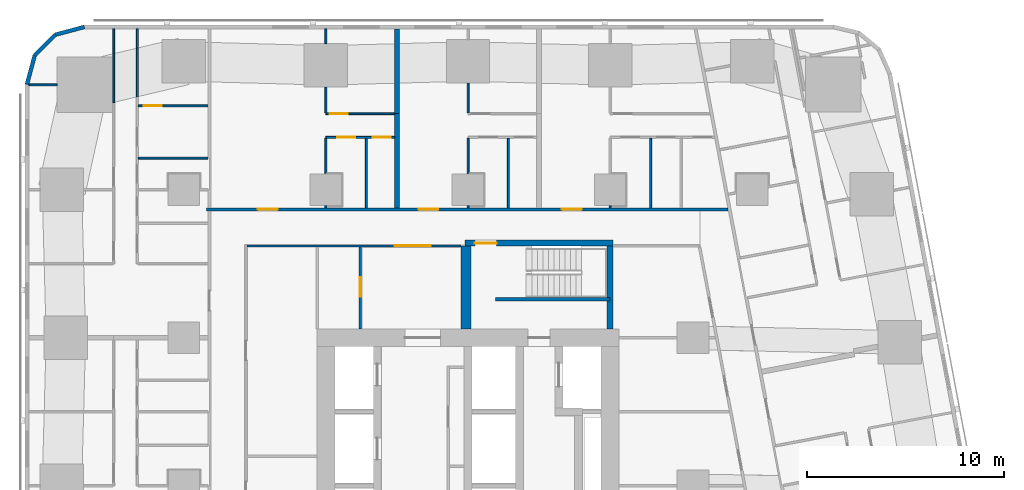
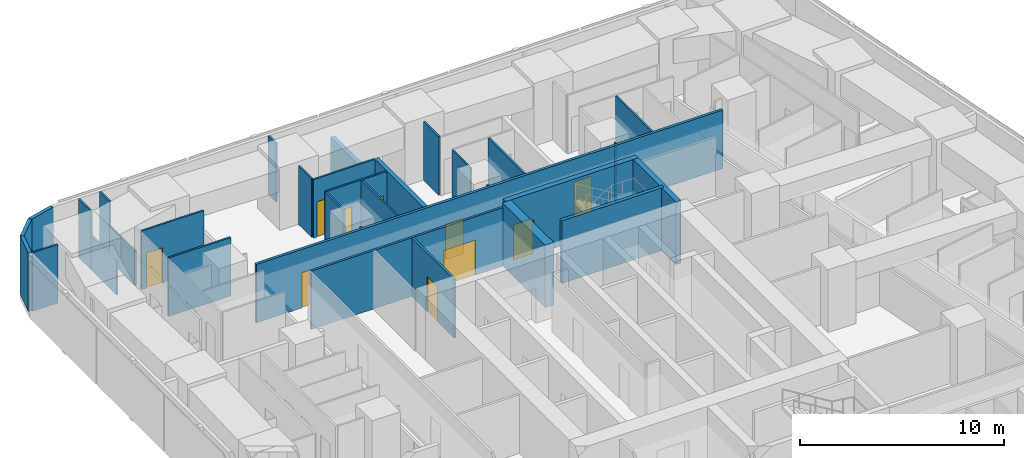
# One storey, part 10 of 16: 32 walls, 10 doors, 10 openings.
"""IFC4 building model written with IfcOpenShell, lengths in metres."""

import ifcopenshell
import ifcopenshell.guid

model = None  # the IFC model being written
_history = None  # IfcOwnerHistory: only IFC2X3 demands one
_inside = {}  # id of a spatial element -> (the spatial element, [elements in it])
_under = {}  # id of a project, library or spatial element -> (it, [spatial elements below it])
_declared = {}  # id of a project -> (the project, [libraries it declares])
_typed = {}  # id of a type object -> (the type object, [elements of that type])
_made_of = {}  # id of a material, layer set ... -> (it, [elements and type objects made of it])


def new_model(schema):
    """Start an empty IFC model of exactly this schema.

    Asked for "IFC4X3", IfcOpenShell would pick the latest addendum, in which some entities
    have other attributes; the version numbers below select the first issue.
    IFC2X3 requires an IfcOwnerHistory on every rooted entity: one is made here for all.
    """
    global model, _history
    if schema == "IFC4X3":
        model = ifcopenshell.file(schema_version=(4, 3, 0, 0))
    else:
        model = ifcopenshell.file(schema=schema)
    _inside.clear()
    _under.clear()
    _declared.clear()
    _typed.clear()
    _made_of.clear()
    _history = None
    if model.schema == "IFC2X3":
        org = make("IfcOrganization", Name="unknown")
        user = make(
            "IfcPersonAndOrganization",
            ThePerson=make("IfcPerson", FamilyName="unknown"),
            TheOrganization=org,
        )
        app = make(
            "IfcApplication",
            ApplicationDeveloper=org,
            Version="unknown",
            ApplicationFullName="unknown",
            ApplicationIdentifier="unknown",
        )
        _history = make(
            "IfcOwnerHistory",
            OwningUser=user,
            OwningApplication=app,
            ChangeAction="ADDED",
            CreationDate=0,
        )
    return model


def make(cls, **values):
    """One entity of the class cls with the attributes given. An attribute that is None is left unset."""
    return model.create_entity(
        cls, **{name: value for name, value in values.items() if value is not None}
    )


def rooted(cls, **values):
    """An entity with a GlobalId (a new one), such as an element, a storey or a relation."""
    return make(cls, GlobalId=ifcopenshell.guid.new(), OwnerHistory=_history, **values)


def si_unit(unit_type, name, prefix=None):
    """IfcSIUnit, for example si_unit("LENGTHUNIT", "METRE", prefix="MILLI")."""
    return make("IfcSIUnit", UnitType=unit_type, Prefix=prefix, Name=name)


def assignment(units):
    """IfcUnitAssignment: the units of a project."""
    return None if units is None else make("IfcUnitAssignment", Units=units)


def point(xyz):
    """IfcCartesianPoint."""
    return None if xyz is None else make("IfcCartesianPoint", Coordinates=xyz)


def direction(xyz):
    """IfcDirection."""
    return None if xyz is None else make("IfcDirection", DirectionRatios=xyz)


def frame(location, z_axis=None, x_axis=None):
    """IfcAxis2Placement3D, a coordinate frame: its origin and axes. An axis left out is left unset."""
    return make(
        "IfcAxis2Placement3D",
        Location=point(location),
        Axis=direction(z_axis),
        RefDirection=direction(x_axis),
    )


def frame_2d(location, x_axis=None):
    """IfcAxis2Placement2D, a coordinate frame in the plane: its origin and x axis."""
    return make(
        "IfcAxis2Placement2D", Location=point(location), RefDirection=direction(x_axis)
    )


def origin():
    """The frame at (0, 0, 0) with its axes left unset."""
    return frame((0.0, 0.0, 0.0))


def place(relative_to, where):
    """IfcLocalPlacement: puts the frame where relative to a parent placement (None: the world)."""
    return make(
        "IfcLocalPlacement", PlacementRelTo=relative_to, RelativePlacement=where
    )


def context(
    kind, dimensions, precision=None, world=None, true_north=None, identifier=None
):
    """IfcGeometricRepresentationContext, for example the 3D "Model" context."""
    return make(
        "IfcGeometricRepresentationContext",
        ContextIdentifier=identifier,
        ContextType=kind,
        CoordinateSpaceDimension=dimensions,
        Precision=precision,
        WorldCoordinateSystem=world,
        TrueNorth=true_north,
    )


def subcontext(parent, identifier, kind, view, scale=None):
    """IfcGeometricRepresentationSubContext, for example "Body" below "Model"."""
    return make(
        "IfcGeometricRepresentationSubContext",
        ContextIdentifier=identifier,
        ContextType=kind,
        ParentContext=parent,
        TargetScale=scale,
        TargetView=view,
    )


def project(units=None, contexts=None):
    """IfcProject with its units and contexts."""
    return rooted(
        "IfcProject",
        Name="project",
        RepresentationContexts=contexts,
        UnitsInContext=assignment(units),
    )


def spatial(cls, under=None, at=None, **own):
    """A site, building, storey or space (cls), placed at a placement, below another one or the project."""
    s = rooted(cls, ObjectPlacement=at, **own)
    if under is not None:
        _under.setdefault(under.id(), (under, []))[1].append(s)
    return s


def profile(cls, at=None, kind="AREA", **sizes):
    """A parametric profile (cls). Its sizes go by their IFC names, for example OverallWidth=200.0."""
    return make(cls, ProfileType=kind, Position=at, **sizes)


def rectangle(**sizes):
    """IfcRectangleProfileDef."""
    return profile("IfcRectangleProfileDef", **sizes)


def extrude(swept, where, along, depth):
    """IfcExtrudedAreaSolid: the profile swept, set in the frame where, extruded along a direction by depth."""
    return make(
        "IfcExtrudedAreaSolid",
        SweptArea=swept,
        Position=where,
        ExtrudedDirection=direction(along),
        Depth=depth,
    )


def shape(context_of_items, identifier, shape_type, items):
    """IfcShapeRepresentation: the items that make up one representation, for example the "Body"."""
    return make(
        "IfcShapeRepresentation",
        ContextOfItems=context_of_items,
        RepresentationIdentifier=identifier,
        RepresentationType=shape_type,
        Items=items,
    )


def material(Name=None, Category=None):
    """IfcMaterial."""
    return make("IfcMaterial", Name=Name, Category=Category)


def layer(
    of_material, thickness, ventilated=None, Name=None, Category=None, Priority=None
):
    """IfcMaterialLayer: one layer of a wall or slab, of a material (None: an air gap)."""
    return make(
        "IfcMaterialLayer",
        Material=of_material,
        LayerThickness=thickness,
        IsVentilated=ventilated,
        Name=Name,
        Category=Category,
        Priority=Priority,
    )


def layer_set(layers, Name=None):
    """IfcMaterialLayerSet."""
    return make("IfcMaterialLayerSet", MaterialLayers=layers, LayerSetName=Name)


def made_of(thing, what):
    """Note that an element or type object is made of a material, layer set ...; save() writes the relation."""
    if what is not None:
        _made_of.setdefault(what.id(), (what, []))[1].append(thing)
    return thing


def type_object(cls, material=None, **own):
    """A type object (cls), such as IfcWallType, which elements share."""
    return made_of(rooted(cls, **own), material)


def element(
    cls,
    number,
    at=None,
    inside=None,
    cuts=None,
    type_object=None,
    material=None,
    context=None,
    identifier="Body",
    shape_type=None,
    held_by="IfcProductDefinitionShape",
    body=None,
    shapes=None,
    **own,
):
    """One element of the class cls, such as IfcWall. Its Tag is "e" and its number.

    at: its placement. inside: the storey or other place that contains it. cuts: it is an
    opening in that element (IfcRelVoidsElement). A single representation is given by context,
    identifier, shape_type and body (its items); several are given by shapes. held_by: the class
    of the entity that holds the representations. save() writes the other relations.
    """
    e = rooted(cls, Tag="e%d" % number, ObjectPlacement=at, **own)
    if body is not None:
        shapes = [shape(context, identifier, shape_type, body)]
    if shapes is not None:
        e.Representation = make(held_by, Representations=shapes)
    if inside is not None:
        _inside.setdefault(inside.id(), (inside, []))[1].append(e)
    if cuts is not None:
        rooted(
            "IfcRelVoidsElement", RelatingBuildingElement=cuts, RelatedOpeningElement=e
        )
    if type_object is not None:
        _typed.setdefault(type_object.id(), (type_object, []))[1].append(e)
    return made_of(e, material)


def fill(opening, filler):
    """IfcRelFillsElement: the door or window that sits in an opening."""
    return rooted(
        "IfcRelFillsElement",
        RelatingOpeningElement=opening,
        RelatedBuildingElement=filler,
    )


def aggregate(whole, parts):
    """IfcRelAggregates: a whole, such as a stair, and the parts it consists of."""
    return rooted("IfcRelAggregates", RelatingObject=whole, RelatedObjects=parts)


def save(model, path):
    """Write the relations noted so far, then the file.

    IfcRelAggregates (storeys below a building ...), IfcRelContainedInSpatialStructure (elements
    in a storey), IfcRelDefinesByType, IfcRelAssociatesMaterial and IfcRelDeclares: one each for
    every whole, place, type object, material and project.
    """
    for whole, parts in _under.values():
        aggregate(whole, parts)
    for where, things in _inside.values():
        rooted(
            "IfcRelContainedInSpatialStructure",
            RelatedElements=things,
            RelatingStructure=where,
        )
    for kind, things in _typed.values():
        rooted("IfcRelDefinesByType", RelatedObjects=things, RelatingType=kind)
    for what, things in _made_of.values():
        rooted("IfcRelAssociatesMaterial", RelatedObjects=things, RelatingMaterial=what)
    for by, libraries in _declared.values():
        rooted("IfcRelDeclares", RelatingContext=by, RelatedDefinitions=libraries)
    model.write(path)


model = new_model("IFC4")

# Units and contexts
model_context = context("Model", 3, precision=1e-05, world=origin(), true_north=direction((0.0, 1.0)))
body_context = subcontext(model_context, "Body", "Model", "MODEL_VIEW")
ifc_project = project(units=[si_unit("LENGTHUNIT", "METRE"), si_unit("AREAUNIT", "SQUARE_METRE"), si_unit("VOLUMEUNIT", "CUBIC_METRE"), si_unit("PLANEANGLEUNIT", "RADIAN"), si_unit("MASSUNIT", "GRAM", prefix="KILO")], contexts=[model_context])

# Site, building, storey
site_placement = place(None, origin())
site = spatial("IfcSite", under=ifc_project, at=site_placement, CompositionType="ELEMENT")
building_placement = place(site_placement, origin())
building = spatial("IfcBuilding", under=site, at=building_placement, Name="Sheger Commons Tower", CompositionType="ELEMENT")
storey_placement = place(building_placement, frame((0.0, 0.0, 89.14990234375)))
storey = spatial("IfcBuildingStorey", under=building, at=storey_placement, Name="L22", CompositionType="ELEMENT", Elevation=89.14990234375)

# Wall, openings, doors
ifc_material_1 = material(Name="Hollow concrete block masonry, skimmed both sides", Category="masonry")
ifc_layer_1 = layer(ifc_material_1, 0.14990234375)
ifc_layer_set_1 = layer_set([ifc_layer_1], Name="CORRIDOR WALL 150")
wall_type_1 = type_object("IfcWallType", Name="CORRIDOR WALL 150", PredefinedType="SOLIDWALL", material=ifc_layer_set_1)
wall_1_placement = place(storey_placement, frame((8.35009765625, 36.5, 0.0), z_axis=(0.0, 0.0, 1.0), x_axis=(1.0, 0.0, 0.0)))
wall_1 = element("IfcWall", 1, at=wall_1_placement, inside=storey, type_object=wall_type_1, Name="Corridor wall L22", PredefinedType="SOLIDWALL", context=body_context, shape_type="SweptSolid", body=[
    extrude(rectangle(XDim=26.414794921875, YDim=0.14990234375, at=frame_2d((13.20751953125, 0.0))), origin(), (0.0, 0.0, 1.0), 3.5),
])
opening_1_placement = place(wall_1_placement, frame((2.60009765625, 0.0, 0.0)))
opening_1 = element("IfcOpeningElement", 2, at=opening_1_placement, cuts=wall_1, Name="Opening D1", PredefinedType="OPENING", context=body_context, shape_type="SweptSolid", body=[
    extrude(rectangle(XDim=1.0, YDim=2.10009765625, at=frame_2d((0.5, 1.050048828125))), frame((0.0, 0.0849609375, 0.0), z_axis=(0.0, -1.0, 0.0), x_axis=(1.0, 0.0, 0.0)), (0.0, 0.0, 1.0), 0.169921875),
])
opening_2_placement = place(wall_1_placement, frame((10.75, 0.0, 0.0)))
opening_2 = element("IfcOpeningElement", 3, at=opening_2_placement, cuts=wall_1, Name="Opening D1", PredefinedType="OPENING", context=body_context, shape_type="SweptSolid", body=[
    extrude(rectangle(XDim=1.0, YDim=2.10009765625, at=frame_2d((0.5, 1.050048828125))), frame((0.0, 0.0849609375, 0.0), z_axis=(0.0, -1.0, 0.0), x_axis=(1.0, 0.0, 0.0)), (0.0, 0.0, 1.0), 0.169921875),
])
opening_3_placement = place(wall_1_placement, frame((18.007080078125, 0.0, 0.0)))
opening_3 = element("IfcOpeningElement", 4, at=opening_3_placement, cuts=wall_1, Name="Opening D1", PredefinedType="OPENING", context=body_context, shape_type="SweptSolid", body=[
    extrude(rectangle(XDim=1.0, YDim=2.10009765625, at=frame_2d((0.5, 1.050048828125))), frame((0.0, 0.0849609375, 0.0), z_axis=(0.0, -1.0, 0.0), x_axis=(1.0, 0.0, 0.0)), (0.0, 0.0, 1.0), 0.169921875),
])
ifc_material_2 = material(Name="Steel door set, fire rated", Category="steel")
door_type_1 = type_object("IfcDoorType", Name="FLAT ENTRANCE DOOR 1000x2100", OperationType="NOTDEFINED", PredefinedType="DOOR", material=ifc_material_2)
door_1_placement = place(opening_1_placement, origin())
door_1 = element("IfcDoor", 5, at=door_1_placement, inside=storey, type_object=door_type_1, Name="Flat entrance door", OperationType="SINGLE_SWING_LEFT", OverallHeight=2.10009765625, OverallWidth=1.0, PredefinedType="DOOR", context=body_context, shape_type="SweptSolid", body=[
    extrude(rectangle(XDim=1.0, YDim=2.10009765625, at=frame_2d((0.5, 1.050048828125))), frame((0.0, 0.02490234375, 0.0), z_axis=(0.0, -1.0, 0.0), x_axis=(1.0, 0.0, 0.0)), (0.0, 0.0, 1.0), 0.050048828125),
])
fill(opening_1, door_1)
door_2_placement = place(opening_2_placement, origin())
door_2 = element("IfcDoor", 6, at=door_2_placement, inside=storey, type_object=door_type_1, Name="Flat entrance door", OperationType="SINGLE_SWING_LEFT", OverallHeight=2.10009765625, OverallWidth=1.0, PredefinedType="DOOR", context=body_context, shape_type="SweptSolid", body=[
    extrude(rectangle(XDim=1.0, YDim=2.10009765625, at=frame_2d((0.5, 1.050048828125))), frame((0.0, 0.02490234375, 0.0), z_axis=(0.0, -1.0, 0.0), x_axis=(1.0, 0.0, 0.0)), (0.0, 0.0, 1.0), 0.050048828125),
])
fill(opening_2, door_2)
door_3_placement = place(opening_3_placement, origin())
door_3 = element("IfcDoor", 7, at=door_3_placement, inside=storey, type_object=door_type_1, Name="Flat entrance door", OperationType="SINGLE_SWING_LEFT", OverallHeight=2.10009765625, OverallWidth=1.0, PredefinedType="DOOR", context=body_context, shape_type="SweptSolid", body=[
    extrude(rectangle(XDim=1.0, YDim=2.10009765625, at=frame_2d((0.5, 1.050048828125))), frame((0.0, 0.02490234375, 0.0), z_axis=(0.0, -1.0, 0.0), x_axis=(1.0, 0.0, 0.0)), (0.0, 0.0, 1.0), 0.050048828125),
])
fill(opening_3, door_3)

# Walls
ifc_material_3 = material(Name="Dense concrete block masonry, plastered both sides (separating wall between flats)", Category="masonry")
ifc_layer_2 = layer(ifc_material_3, 0.25)
ifc_layer_set_2 = layer_set([ifc_layer_2], Name="DEMISING WALL 250")
wall_type_2 = type_object("IfcWallType", Name="DEMISING WALL 250", PredefinedType="SOLIDWALL", material=ifc_layer_set_2)
wall_2_placement = place(storey_placement, frame((18.0, 41.35009765625, 0.0), z_axis=(0.0, 0.0, 1.0), x_axis=(0.0, 1.0, 0.0)))
element("IfcWall", 8, at=wall_2_placement, inside=storey, type_object=wall_type_2, Name="Demising wall L22", PredefinedType="SOLIDWALL", context=body_context, shape_type="SweptSolid", body=[
    extrude(rectangle(XDim=4.2998046875, YDim=0.25, at=frame_2d((2.14990234375, 0.0))), origin(), (0.0, 0.0, 1.0), 2.2001953125),
])
wall_3_placement = place(storey_placement, frame((18.0, 36.574951171875, 0.0), z_axis=(0.0, 0.0, 1.0), x_axis=(0.0, 1.0, 0.0)))
element("IfcWall", 9, at=wall_3_placement, inside=storey, type_object=wall_type_2, Name="Demising wall L22", PredefinedType="SOLIDWALL", context=body_context, shape_type="SweptSolid", body=[
    extrude(rectangle(XDim=4.775146484375, YDim=0.25, at=frame_2d((2.3876953125, 0.0))), origin(), (0.0, 0.0, 1.0), 3.5),
])
ifc_material_4 = material(Name="Rendered concrete block masonry, dark grey", Category="masonry")
ifc_layer_3 = layer(ifc_material_4, 0.199951171875)
ifc_layer_set_3 = layer_set([ifc_layer_3], Name="FACADE WALL 200")
wall_type_3 = type_object("IfcWallType", Name="FACADE WALL 200", PredefinedType="SOLIDWALL", material=ifc_layer_set_3)
wall_4_placement = place(storey_placement, frame((2.1630859375, 45.75, 0.0), z_axis=(0.0, 0.0, 1.0), x_axis=(-0.965832000415, -0.259168954497, 0.0)))
element("IfcWall", 10, at=wall_4_placement, inside=storey, type_object=wall_type_3, Name="Facade wall L22", PredefinedType="SOLIDWALL", context=body_context, shape_type="SweptSolid", body=[
    extrude(rectangle(XDim=1.512939453125, YDim=0.199951171875, at=frame_2d((0.75634765625, 0.0))), origin(), (0.0, 0.0, 1.0), 3.5),
])
wall_5_placement = place(storey_placement, frame((0.701904296875, 45.35791015625, 0.0), z_axis=(0.0, 0.0, 1.0), x_axis=(-0.707106781187, -0.707106781187, 0.0)))
element("IfcWall", 11, at=wall_5_placement, inside=storey, type_object=wall_type_3, Name="Facade wall L22", PredefinedType="SOLIDWALL", context=body_context, shape_type="SweptSolid", body=[
    extrude(rectangle(XDim=1.498779296875, YDim=0.199951171875, at=frame_2d((0.74951171875, 0.0))), origin(), (0.0, 0.0, 1.0), 3.5),
])
wall_6_placement = place(storey_placement, frame((-0.35791015625, 44.298095703125, 0.0), z_axis=(0.0, 0.0, 1.0), x_axis=(-0.259168954497, -0.965832000415, 0.0)))
element("IfcWall", 12, at=wall_6_placement, inside=storey, type_object=wall_type_3, Name="Facade wall L22", PredefinedType="SOLIDWALL", context=body_context, shape_type="SweptSolid", body=[
    extrude(rectangle(XDim=1.512939453125, YDim=0.199951171875, at=frame_2d((0.75634765625, 0.0))), origin(), (0.0, 0.0, 1.0), 3.5),
])
ifc_material_5 = material(Name="Gypsum board on steel studs", Category="steel")
ifc_layer_4 = layer(ifc_material_5, 0.10009765625)
ifc_layer_set_4 = layer_set([ifc_layer_4], Name="PARTITION 100")
wall_type_4 = type_object("IfcWallType", Name="PARTITION 100", PredefinedType="PARTITIONING", material=ifc_layer_set_4)
wall_7_placement = place(storey_placement, frame((3.64990234375, 41.9150390625, 0.0), z_axis=(0.0, 0.0, 1.0), x_axis=(0.0, 1.0, 0.0)))
element("IfcWall", 13, at=wall_7_placement, inside=storey, type_object=wall_type_4, Name="Partition L22", PredefinedType="PARTITIONING", context=body_context, shape_type="SweptSolid", body=[
    extrude(rectangle(XDim=2.489990234375, YDim=0.10009765625, at=frame_2d((1.2451171875, 0.0))), origin(), (0.0, 0.0, 1.0), 2.050048828125),
])
wall_8_placement = place(storey_placement, frame((3.64990234375, 44.405029296875, 0.0), z_axis=(0.0, 0.0, 1.0), x_axis=(0.0, 1.0, 0.0)))
element("IfcWall", 14, at=wall_8_placement, inside=storey, type_object=wall_type_4, Name="Partition L22", PredefinedType="PARTITIONING", context=body_context, shape_type="SweptSolid", body=[
    extrude(rectangle(XDim=1.244873046875, YDim=0.10009765625, at=frame_2d((0.62255859375, 0.0))), origin(), (0.0, 0.0, 1.0), 3.5),
])
wall_9_placement = place(storey_placement, frame((4.85009765625, 42.198974609375, 0.0), z_axis=(0.0, 0.0, 1.0), x_axis=(0.0, 1.0, 0.0)))
element("IfcWall", 15, at=wall_9_placement, inside=storey, type_object=wall_type_4, Name="Partition L22", PredefinedType="PARTITIONING", context=body_context, shape_type="SweptSolid", body=[
    extrude(rectangle(XDim=2.489990234375, YDim=0.10009765625, at=frame_2d((1.2451171875, 0.0))), origin(), (0.0, 0.0, 1.0), 2.050048828125),
])
wall_10_placement = place(storey_placement, frame((4.85009765625, 44.68896484375, 0.0), z_axis=(0.0, 0.0, 1.0), x_axis=(0.0, 1.0, 0.0)))
element("IfcWall", 16, at=wall_10_placement, inside=storey, type_object=wall_type_4, Name="Partition L22", PredefinedType="PARTITIONING", context=body_context, shape_type="SweptSolid", body=[
    extrude(rectangle(XDim=0.9609375, YDim=0.10009765625, at=frame_2d((0.48046875, 0.0))), origin(), (0.0, 0.0, 1.0), 3.5),
])
wall_11_placement = place(storey_placement, frame((-0.64990234375, 42.81396484375, 0.0), z_axis=(0.0, 0.0, 1.0), x_axis=(1.0, 0.0, 0.0)))
element("IfcWall", 17, at=wall_11_placement, inside=storey, type_object=wall_type_4, Name="Partition L22", PredefinedType="PARTITIONING", context=body_context, shape_type="SweptSolid", body=[
    extrude(rectangle(XDim=1.434814453125, YDim=0.10009765625, at=frame_2d((0.71728515625, 0.0))), origin(), (0.0, 0.0, 1.0), 3.5),
])
wall_12_placement = place(storey_placement, frame((4.89990234375, 39.10009765625, 0.0), z_axis=(0.0, 0.0, 1.0), x_axis=(1.0, 0.0, 0.0)))
element("IfcWall", 18, at=wall_12_placement, inside=storey, type_object=wall_type_4, Name="Partition L22", PredefinedType="PARTITIONING", context=body_context, shape_type="SweptSolid", body=[
    extrude(rectangle(XDim=3.525146484375, YDim=0.10009765625, at=frame_2d((1.7626953125, 0.0))), origin(), (0.0, 0.0, 1.0), 3.5),
])

# Wall, opening, door
wall_13_placement = place(storey_placement, frame((14.39990234375, 41.35009765625, 0.0), z_axis=(0.0, 0.0, 1.0), x_axis=(1.0, 0.0, 0.0)))
wall_13 = element("IfcWall", 19, at=wall_13_placement, inside=storey, type_object=wall_type_4, Name="Partition L22", PredefinedType="PARTITIONING", context=body_context, shape_type="SweptSolid", body=[
    extrude(rectangle(XDim=3.47509765625, YDim=0.10009765625, at=frame_2d((1.737548828125, 0.0))), origin(), (0.0, 0.0, 1.0), 3.5),
])
opening_4_placement = place(wall_13_placement, frame((0.199951171875, 0.0, 0.0)))
opening_4 = element("IfcOpeningElement", 20, at=opening_4_placement, cuts=wall_13, Name="Opening D2", PredefinedType="OPENING", context=body_context, shape_type="SweptSolid", body=[
    extrude(rectangle(XDim=0.89990234375, YDim=2.10009765625, at=frame_2d((0.449951171875, 1.050048828125))), frame((0.0, 0.06005859375, 0.0), z_axis=(0.0, -1.0, 0.0), x_axis=(1.0, 0.0, 0.0)), (0.0, 0.0, 1.0), 0.1201171875),
])
ifc_material_6 = material(Name="Timber door set", Category="wood")
door_type_2 = type_object("IfcDoorType", Name="INTERNAL DOOR 900x2100", OperationType="NOTDEFINED", PredefinedType="DOOR", material=ifc_material_6)
door_4_placement = place(opening_4_placement, origin())
door_4 = element("IfcDoor", 21, at=door_4_placement, inside=storey, type_object=door_type_2, Name="Main bedroom door", OperationType="SINGLE_SWING_LEFT", OverallHeight=2.10009765625, OverallWidth=0.89990234375, PredefinedType="DOOR", context=body_context, shape_type="SweptSolid", body=[
    extrude(rectangle(XDim=0.89990234375, YDim=2.10009765625, at=frame_2d((0.449951171875, 1.050048828125))), frame((0.0, 0.02490234375, 0.0), z_axis=(0.0, -1.0, 0.0), x_axis=(1.0, 0.0, 0.0)), (0.0, 0.0, 1.0), 0.050048828125),
])
fill(opening_4, door_4)

# Wall, openings, doors
wall_14_placement = place(storey_placement, frame((14.39990234375, 40.14990234375, 0.0), z_axis=(0.0, 0.0, 1.0), x_axis=(1.0, 0.0, 0.0)))
wall_14 = element("IfcWall", 22, at=wall_14_placement, inside=storey, type_object=wall_type_4, Name="Partition L22", PredefinedType="PARTITIONING", context=body_context, shape_type="SweptSolid", body=[
    extrude(rectangle(XDim=3.47509765625, YDim=0.10009765625, at=frame_2d((1.737548828125, 0.0))), origin(), (0.0, 0.0, 1.0), 3.5),
])
opening_5_placement = place(wall_14_placement, frame((0.574951171875, 0.0, 0.0)))
opening_5 = element("IfcOpeningElement", 23, at=opening_5_placement, cuts=wall_14, Name="Opening D2", PredefinedType="OPENING", context=body_context, shape_type="SweptSolid", body=[
    extrude(rectangle(XDim=0.89990234375, YDim=2.10009765625, at=frame_2d((0.449951171875, 1.050048828125))), frame((0.0, 0.06005859375, 0.0), z_axis=(0.0, -1.0, 0.0), x_axis=(1.0, 0.0, 0.0)), (0.0, 0.0, 1.0), 0.1201171875),
])
opening_6_placement = place(wall_14_placement, frame((2.375, 0.0, 0.0)))
opening_6 = element("IfcOpeningElement", 24, at=opening_6_placement, cuts=wall_14, Name="Opening D2", PredefinedType="OPENING", context=body_context, shape_type="SweptSolid", body=[
    extrude(rectangle(XDim=0.89990234375, YDim=2.10009765625, at=frame_2d((0.449951171875, 1.050048828125))), frame((0.0, 0.06005859375, 0.0), z_axis=(0.0, -1.0, 0.0), x_axis=(1.0, 0.0, 0.0)), (0.0, 0.0, 1.0), 0.1201171875),
])
door_5_placement = place(opening_5_placement, origin())
door_5 = element("IfcDoor", 25, at=door_5_placement, inside=storey, type_object=door_type_2, Name="Bathroom door", OperationType="SINGLE_SWING_RIGHT", OverallHeight=2.10009765625, OverallWidth=0.89990234375, PredefinedType="DOOR", context=body_context, shape_type="SweptSolid", body=[
    extrude(rectangle(XDim=0.89990234375, YDim=2.10009765625, at=frame_2d((0.449951171875, 1.050048828125))), frame((0.0, 0.02490234375, 0.0), z_axis=(0.0, -1.0, 0.0), x_axis=(1.0, 0.0, 0.0)), (0.0, 0.0, 1.0), 0.050048828125),
])
fill(opening_5, door_5)
door_6_placement = place(opening_6_placement, origin())
door_6 = element("IfcDoor", 26, at=door_6_placement, inside=storey, type_object=door_type_2, Name="Store door", OperationType="SINGLE_SWING_LEFT", OverallHeight=2.10009765625, OverallWidth=0.89990234375, PredefinedType="DOOR", context=body_context, shape_type="SweptSolid", body=[
    extrude(rectangle(XDim=0.89990234375, YDim=2.10009765625, at=frame_2d((0.449951171875, 1.050048828125))), frame((0.0, 0.02490234375, 0.0), z_axis=(0.0, -1.0, 0.0), x_axis=(1.0, 0.0, 0.0)), (0.0, 0.0, 1.0), 0.050048828125),
])
fill(opening_6, door_6)

# Walls
wall_15_placement = place(storey_placement, frame((14.39990234375, 41.39990234375, 0.0), z_axis=(0.0, 0.0, 1.0), x_axis=(0.0, 1.0, 0.0)))
element("IfcWall", 27, at=wall_15_placement, inside=storey, type_object=wall_type_4, Name="Partition L22", PredefinedType="PARTITIONING", context=body_context, shape_type="SweptSolid", body=[
    extrude(rectangle(XDim=1.299072265625, YDim=0.10009765625, at=frame_2d((0.6494140625, 0.0))), origin(), (0.0, 0.0, 1.0), 3.5),
])
wall_16_placement = place(storey_placement, frame((14.39990234375, 44.90087890625, 0.0), z_axis=(0.0, 0.0, 1.0), x_axis=(0.0, 1.0, 0.0)))
element("IfcWall", 28, at=wall_16_placement, inside=storey, type_object=wall_type_4, Name="Partition L22", PredefinedType="PARTITIONING", context=body_context, shape_type="SweptSolid", body=[
    extrude(rectangle(XDim=0.7490234375, YDim=0.10009765625, at=frame_2d((0.37451171875, 0.0))), origin(), (0.0, 0.0, 1.0), 3.5),
])
wall_17_placement = place(storey_placement, frame((14.39990234375, 36.574951171875, 0.0), z_axis=(0.0, 0.0, 1.0), x_axis=(0.0, 1.0, 0.0)))
element("IfcWall", 29, at=wall_17_placement, inside=storey, type_object=wall_type_4, Name="Partition L22", PredefinedType="PARTITIONING", context=body_context, shape_type="SweptSolid", body=[
    extrude(rectangle(XDim=0.1240234375, YDim=0.10009765625, at=frame_2d((0.06201171875, 0.0))), origin(), (0.0, 0.0, 1.0), 3.5),
])
wall_18_placement = place(storey_placement, frame((14.39990234375, 38.301025390625, 0.0), z_axis=(0.0, 0.0, 1.0), x_axis=(0.0, 1.0, 0.0)))
element("IfcWall", 30, at=wall_18_placement, inside=storey, type_object=wall_type_4, Name="Partition L22", PredefinedType="PARTITIONING", context=body_context, shape_type="SweptSolid", body=[
    extrude(rectangle(XDim=1.799072265625, YDim=0.10009765625, at=frame_2d((0.8994140625, 0.0))), origin(), (0.0, 0.0, 1.0), 3.5),
])
wall_19_placement = place(storey_placement, frame((16.449951171875, 36.574951171875, 0.0), z_axis=(0.0, 0.0, 1.0), x_axis=(0.0, 1.0, 0.0)))
element("IfcWall", 31, at=wall_19_placement, inside=storey, type_object=wall_type_4, Name="Partition L22", PredefinedType="PARTITIONING", context=body_context, shape_type="SweptSolid", body=[
    extrude(rectangle(XDim=3.525146484375, YDim=0.10009765625, at=frame_2d((1.7626953125, 0.0))), origin(), (0.0, 0.0, 1.0), 3.5),
])
wall_20_placement = place(storey_placement, frame((21.60009765625, 41.39990234375, 0.0), z_axis=(0.0, 0.0, 1.0), x_axis=(0.0, 1.0, 0.0)))
element("IfcWall", 32, at=wall_20_placement, inside=storey, type_object=wall_type_4, Name="Partition L22", PredefinedType="PARTITIONING", context=body_context, shape_type="SweptSolid", body=[
    extrude(rectangle(XDim=1.4990234375, YDim=0.10009765625, at=frame_2d((0.74951171875, 0.0))), origin(), (0.0, 0.0, 1.0), 3.5),
])
wall_21_placement = place(storey_placement, frame((21.60009765625, 36.574951171875, 0.0), z_axis=(0.0, 0.0, 1.0), x_axis=(0.0, 1.0, 0.0)))
element("IfcWall", 33, at=wall_21_placement, inside=storey, type_object=wall_type_4, Name="Partition L22", PredefinedType="PARTITIONING", context=body_context, shape_type="SweptSolid", body=[
    extrude(rectangle(XDim=0.1240234375, YDim=0.10009765625, at=frame_2d((0.06201171875, 0.0))), origin(), (0.0, 0.0, 1.0), 3.5),
])
wall_22_placement = place(storey_placement, frame((21.60009765625, 38.301025390625, 0.0), z_axis=(0.0, 0.0, 1.0), x_axis=(0.0, 1.0, 0.0)))
element("IfcWall", 34, at=wall_22_placement, inside=storey, type_object=wall_type_4, Name="Partition L22", PredefinedType="PARTITIONING", context=body_context, shape_type="SweptSolid", body=[
    extrude(rectangle(XDim=1.799072265625, YDim=0.10009765625, at=frame_2d((0.8994140625, 0.0))), origin(), (0.0, 0.0, 1.0), 3.5),
])
wall_23_placement = place(storey_placement, frame((23.64990234375, 36.574951171875, 0.0), z_axis=(0.0, 0.0, 1.0), x_axis=(0.0, 1.0, 0.0)))
element("IfcWall", 35, at=wall_23_placement, inside=storey, type_object=wall_type_4, Name="Partition L22", PredefinedType="PARTITIONING", context=body_context, shape_type="SweptSolid", body=[
    extrude(rectangle(XDim=3.525146484375, YDim=0.10009765625, at=frame_2d((1.7626953125, 0.0))), origin(), (0.0, 0.0, 1.0), 3.5),
])
wall_24_placement = place(storey_placement, frame((28.800048828125, 36.574951171875, 0.0), z_axis=(0.0, 0.0, 1.0), x_axis=(0.0, 1.0, 0.0)))
element("IfcWall", 36, at=wall_24_placement, inside=storey, type_object=wall_type_4, Name="Partition L22", PredefinedType="PARTITIONING", context=body_context, shape_type="SweptSolid", body=[
    extrude(rectangle(XDim=0.1240234375, YDim=0.10009765625, at=frame_2d((0.06201171875, 0.0))), origin(), (0.0, 0.0, 1.0), 3.5),
])
wall_25_placement = place(storey_placement, frame((30.85009765625, 36.574951171875, 0.0), z_axis=(0.0, 0.0, 1.0), x_axis=(0.0, 1.0, 0.0)))
element("IfcWall", 37, at=wall_25_placement, inside=storey, type_object=wall_type_4, Name="Partition L22", PredefinedType="PARTITIONING", context=body_context, shape_type="SweptSolid", body=[
    extrude(rectangle(XDim=3.525146484375, YDim=0.10009765625, at=frame_2d((1.7626953125, 0.0))), origin(), (0.0, 0.0, 1.0), 3.5),
])

# Wall, opening, door
wall_26_placement = place(storey_placement, frame((8.425048828125, 41.75, 0.0), z_axis=(0.0, 0.0, 1.0), x_axis=(-1.0, 0.0, 0.0)))
wall_26 = element("IfcWall", 38, at=wall_26_placement, inside=storey, type_object=wall_type_4, Name="Partition L22", PredefinedType="PARTITIONING", context=body_context, shape_type="SweptSolid", body=[
    extrude(rectangle(XDim=3.525146484375, YDim=0.10009765625, at=frame_2d((1.7626953125, 0.0))), origin(), (0.0, 0.0, 1.0), 3.5),
])
opening_7_placement = place(wall_26_placement, frame((2.35009765625, 0.0, 0.0)))
opening_7 = element("IfcOpeningElement", 39, at=opening_7_placement, cuts=wall_26, Name="Opening D2", PredefinedType="OPENING", context=body_context, shape_type="SweptSolid", body=[
    extrude(rectangle(XDim=0.89990234375, YDim=2.10009765625, at=frame_2d((0.449951171875, 1.050048828125))), frame((0.0, 0.06005859375, 0.0), z_axis=(0.0, -1.0, 0.0), x_axis=(1.0, 0.0, 0.0)), (0.0, 0.0, 1.0), 0.1201171875),
])
door_7_placement = place(opening_7_placement, origin())
door_7 = element("IfcDoor", 40, at=door_7_placement, inside=storey, type_object=door_type_2, Name="Store door", OperationType="SINGLE_SWING_LEFT", OverallHeight=2.10009765625, OverallWidth=0.89990234375, PredefinedType="DOOR", context=body_context, shape_type="SweptSolid", body=[
    extrude(rectangle(XDim=0.89990234375, YDim=2.10009765625, at=frame_2d((0.449951171875, 1.050048828125))), frame((0.0, 0.02490234375, 0.0), z_axis=(0.0, -1.0, 0.0), x_axis=(1.0, 0.0, 0.0)), (0.0, 0.0, 1.0), 0.050048828125),
])
fill(opening_7, door_7)

ifc_material_7 = material(Name="Gypsum board on steel studs, two layers each side, fire rated", Category="steel")
ifc_layer_5 = layer(ifc_material_7, 0.125)
ifc_layer_set_5 = layer_set([ifc_layer_5], Name="SERVICE WALL 125")
wall_type_5 = type_object("IfcWallType", Name="SERVICE WALL 125", PredefinedType="PARTITIONING", material=ifc_layer_set_5)
wall_27_placement = place(storey_placement, frame((10.4130859375, 34.64990234375, 0.0), z_axis=(0.0, 0.0, 1.0), x_axis=(1.0, 0.0, 0.0)))
wall_27 = element("IfcWall", 41, at=wall_27_placement, inside=storey, type_object=wall_type_5, Name="Service room wall L22", PredefinedType="PARTITIONING", context=body_context, shape_type="SweptSolid", body=[
    extrude(rectangle(XDim=10.8369140625, YDim=0.125, at=frame_2d((5.41845703125, 0.0))), origin(), (0.0, 0.0, 1.0), 3.5),
])
opening_8_placement = place(wall_27_placement, frame((7.487060546875, 0.0, 0.0)))
opening_8 = element("IfcOpeningElement", 42, at=opening_8_placement, cuts=wall_27, Name="Opening D6", PredefinedType="OPENING", context=body_context, shape_type="SweptSolid", body=[
    extrude(rectangle(XDim=1.800048828125, YDim=2.10009765625, at=frame_2d((0.89990234375, 1.050048828125))), frame((0.0, 0.072509765625, 0.0), z_axis=(0.0, -1.0, 0.0), x_axis=(1.0, 0.0, 0.0)), (0.0, 0.0, 1.0), 0.14501953125),
])
ifc_material_8 = material(Name="Steel door set, fire rated", Category="steel")
door_type_3 = type_object("IfcDoorType", Name="LOBBY DOUBLE DOOR 1800x2100", OperationType="DOUBLE_DOOR_SINGLE_SWING", PredefinedType="DOOR", material=ifc_material_8)
door_8_placement = place(opening_8_placement, origin())
door_8 = element("IfcDoor", 43, at=door_8_placement, inside=storey, type_object=door_type_3, Name="Lift lobby north door", OperationType="DOUBLE_DOOR_SINGLE_SWING", OverallHeight=2.10009765625, OverallWidth=1.800048828125, PredefinedType="DOOR", context=body_context, shape_type="SweptSolid", body=[
    extrude(rectangle(XDim=1.800048828125, YDim=2.10009765625, at=frame_2d((0.89990234375, 1.050048828125))), frame((0.0, 0.02490234375, 0.0), z_axis=(0.0, -1.0, 0.0), x_axis=(1.0, 0.0, 0.0)), (0.0, 0.0, 1.0), 0.050048828125),
])
fill(opening_8, door_8)

wall_28_placement = place(storey_placement, frame((16.14990234375, 30.449951171875, 0.0), z_axis=(0.0, 0.0, 1.0), x_axis=(0.0, 1.0, 0.0)))
wall_28 = element("IfcWall", 44, at=wall_28_placement, inside=storey, type_object=wall_type_5, Name="Service room wall L22", PredefinedType="PARTITIONING", context=body_context, shape_type="SweptSolid", body=[
    extrude(rectangle(XDim=4.136962890625, YDim=0.125, at=frame_2d((2.068359375, 0.0))), origin(), (0.0, 0.0, 1.0), 3.5),
])
opening_9_placement = place(wall_28_placement, frame((1.625, 0.0, 0.0)))
opening_9 = element("IfcOpeningElement", 45, at=opening_9_placement, cuts=wall_28, Name="Opening D4", PredefinedType="OPENING", context=body_context, shape_type="SweptSolid", body=[
    extrude(rectangle(XDim=1.0, YDim=2.10009765625, at=frame_2d((0.5, 1.050048828125))), frame((0.0, 0.072509765625, 0.0), z_axis=(0.0, -1.0, 0.0), x_axis=(1.0, 0.0, 0.0)), (0.0, 0.0, 1.0), 0.14501953125),
])
ifc_material_9 = material(Name="Steel door set, fire rated", Category="steel")
door_type_4 = type_object("IfcDoorType", Name="SERVICE DOOR 1000x2100", OperationType="NOTDEFINED", PredefinedType="DOOR", material=ifc_material_9)
door_9_placement = place(opening_9_placement, origin())
door_9 = element("IfcDoor", 46, at=door_9_placement, inside=storey, type_object=door_type_4, Name="Telecom room door", OperationType="SINGLE_SWING_RIGHT", OverallHeight=2.10009765625, OverallWidth=1.0, PredefinedType="DOOR", context=body_context, shape_type="SweptSolid", body=[
    extrude(rectangle(XDim=1.0, YDim=2.10009765625, at=frame_2d((0.5, 1.050048828125))), frame((0.0, 0.02490234375, 0.0), z_axis=(0.0, -1.0, 0.0), x_axis=(1.0, 0.0, 0.0)), (0.0, 0.0, 1.0), 0.050048828125),
])
fill(opening_9, door_9)

ifc_material_10 = material(Name="Concrete C50/60", Category="concrete")
ifc_layer_6 = layer(ifc_material_10, 0.300048828125)
ifc_layer_set_6 = layer_set([ifc_layer_6], Name="STAIR CORE WALL 300")
wall_type_6 = type_object("IfcWallType", Name="STAIR CORE WALL 300", PredefinedType="SHEAR", material=ifc_layer_set_6)
wall_29_placement = place(storey_placement, frame((21.449951171875, 34.800048828125, 0.0), z_axis=(0.0, 0.0, 1.0), x_axis=(1.0, 0.0, 0.0)))
wall_29 = element("IfcWall", 47, at=wall_29_placement, inside=storey, type_object=wall_type_6, Name="STW-L22-S2N", PredefinedType="SHEAR", context=body_context, shape_type="SweptSolid", body=[
    extrude(rectangle(XDim=7.5, YDim=0.300048828125, at=frame_2d((3.75, 0.0))), origin(), (0.0, 0.0, 1.0), 3.75),
])
opening_10_placement = place(wall_29_placement, frame((0.5, 0.0, 0.0)))
opening_10 = element("IfcOpeningElement", 48, at=opening_10_placement, cuts=wall_29, Name="Opening D5", PredefinedType="OPENING", context=body_context, shape_type="SweptSolid", body=[
    extrude(rectangle(XDim=1.10009765625, YDim=2.10009765625, at=frame_2d((0.550048828125, 1.050048828125))), frame((0.0, 0.159912109375, 0.0), z_axis=(0.0, -1.0, 0.0), x_axis=(1.0, 0.0, 0.0)), (0.0, 0.0, 1.0), 0.320068359375),
])
ifc_material_11 = material(Name="Steel door set, fire rated", Category="steel")
door_type_5 = type_object("IfcDoorType", Name="STAIR DOOR 1100x2100", OperationType="NOTDEFINED", PredefinedType="DOOR", material=ifc_material_11)
door_10_placement = place(opening_10_placement, origin())
door_10 = element("IfcDoor", 49, at=door_10_placement, inside=storey, type_object=door_type_5, Name="Stair S2 door", OperationType="SINGLE_SWING_RIGHT", OverallHeight=2.10009765625, OverallWidth=1.10009765625, PredefinedType="DOOR", context=body_context, shape_type="SweptSolid", body=[
    extrude(rectangle(XDim=1.10009765625, YDim=2.10009765625, at=frame_2d((0.550048828125, 1.050048828125))), frame((0.0, 0.02490234375, 0.0), z_axis=(0.0, -1.0, 0.0), x_axis=(1.0, 0.0, 0.0)), (0.0, 0.0, 1.0), 0.050048828125),
])
fill(opening_10, door_10)

# Walls
wall_30_placement = place(storey_placement, frame((28.800048828125, 30.449951171875, 0.0), z_axis=(0.0, 0.0, 1.0), x_axis=(0.0, 1.0, 0.0)))
element("IfcWall", 50, at=wall_30_placement, inside=storey, type_object=wall_type_6, Name="STW-L22-S2E", PredefinedType="SHEAR", context=body_context, shape_type="SweptSolid", body=[
    extrude(rectangle(XDim=4.199951171875, YDim=0.300048828125, at=frame_2d((2.10009765625, 0.0))), origin(), (0.0, 0.0, 1.0), 3.75),
])
ifc_material_12 = material(Name="Concrete C50/60", Category="concrete")
ifc_layer_7 = layer(ifc_material_12, 0.5)
ifc_layer_set_7 = layer_set([ifc_layer_7], Name="STAIR CORE WALL 500")
wall_type_7 = type_object("IfcWallType", Name="STAIR CORE WALL 500", PredefinedType="SHEAR", material=ifc_layer_set_7)
wall_31_placement = place(storey_placement, frame((21.5, 30.449951171875, 0.0), z_axis=(0.0, 0.0, 1.0), x_axis=(0.0, 1.0, 0.0)))
element("IfcWall", 51, at=wall_31_placement, inside=storey, type_object=wall_type_7, Name="STW-L22-S2W", PredefinedType="SHEAR", context=body_context, shape_type="SweptSolid", body=[
    extrude(rectangle(XDim=4.199951171875, YDim=0.5, at=frame_2d((2.10009765625, 0.0))), origin(), (0.0, 0.0, 1.0), 3.75),
])
ifc_material_13 = material(Name="Concrete C50/60", Category="concrete")
ifc_layer_8 = layer(ifc_material_13, 0.199951171875)
ifc_layer_set_8 = layer_set([ifc_layer_8], Name="STAIR SPINE WALL 200")
wall_type_8 = type_object("IfcWallType", Name="STAIR SPINE WALL 200", PredefinedType="SHEAR", material=ifc_layer_set_8)
wall_32_placement = place(storey_placement, frame((23.0, 31.949951171875, 0.0), z_axis=(0.0, 0.0, 1.0), x_axis=(1.0, 0.0, 0.0)))
element("IfcWall", 52, at=wall_32_placement, inside=storey, type_object=wall_type_8, Name="Stair spine wall L22", PredefinedType="SHEAR", context=body_context, shape_type="SweptSolid", body=[
    extrude(rectangle(XDim=5.800048828125, YDim=0.199951171875, at=frame_2d((2.89990234375, 0.0))), origin(), (0.0, 0.0, 1.0), 3.75),
])

save(model, "model.ifc")
